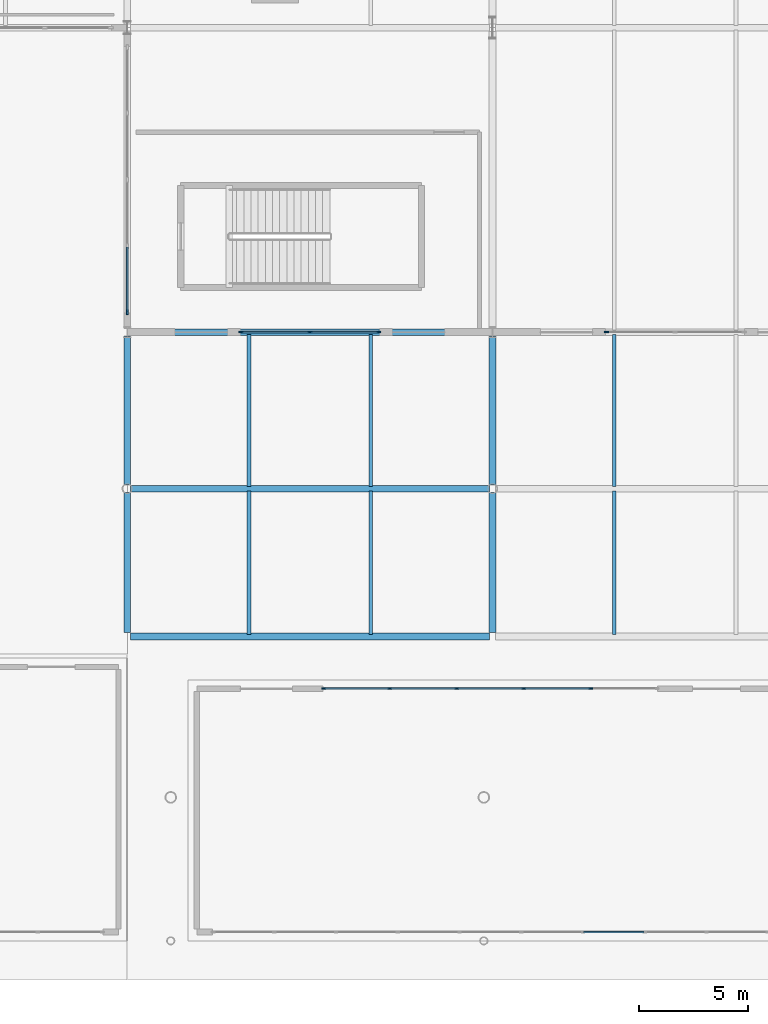
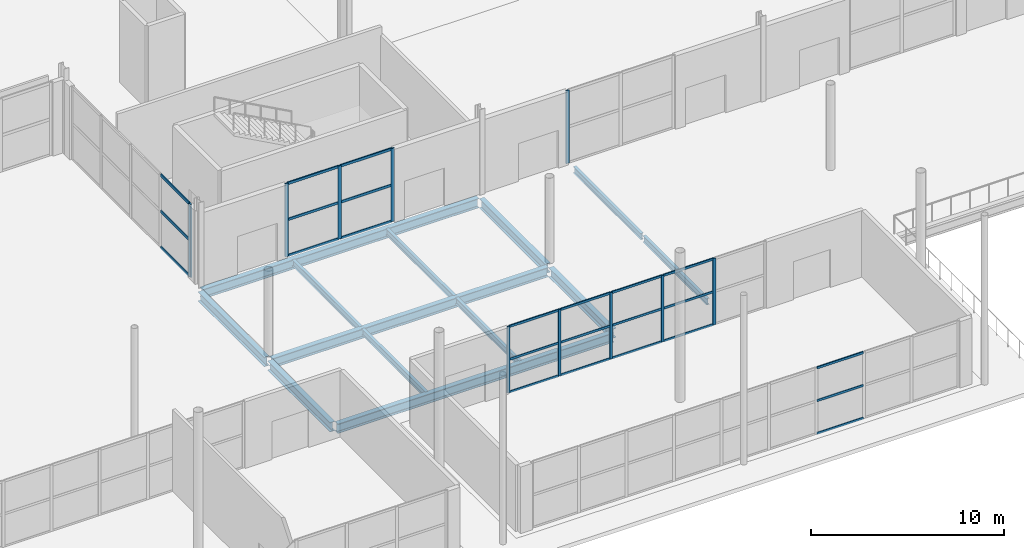
# One storey, part 21 of 87: 34 members, 13 beams, 5 elements without a shape of their own.
"""IFC4 building model written with IfcOpenShell, lengths in metres."""

import ifcopenshell
import ifcopenshell.guid

model = None  # the IFC model being written
_history = None  # IfcOwnerHistory: only IFC2X3 demands one
_inside = {}  # id of a spatial element -> (the spatial element, [elements in it])
_under = {}  # id of a project, library or spatial element -> (it, [spatial elements below it])
_declared = {}  # id of a project -> (the project, [libraries it declares])
_typed = {}  # id of a type object -> (the type object, [elements of that type])
_made_of = {}  # id of a material, layer set ... -> (it, [elements and type objects made of it])


def new_model(schema):
    """Start an empty IFC model of exactly this schema.

    Asked for "IFC4X3", IfcOpenShell would pick the latest addendum, in which some entities
    have other attributes; the version numbers below select the first issue.
    IFC2X3 requires an IfcOwnerHistory on every rooted entity: one is made here for all.
    """
    global model, _history
    if schema == "IFC4X3":
        model = ifcopenshell.file(schema_version=(4, 3, 0, 0))
    else:
        model = ifcopenshell.file(schema=schema)
    _inside.clear()
    _under.clear()
    _declared.clear()
    _typed.clear()
    _made_of.clear()
    _history = None
    if model.schema == "IFC2X3":
        org = make("IfcOrganization", Name="unknown")
        user = make(
            "IfcPersonAndOrganization",
            ThePerson=make("IfcPerson", FamilyName="unknown"),
            TheOrganization=org,
        )
        app = make(
            "IfcApplication",
            ApplicationDeveloper=org,
            Version="unknown",
            ApplicationFullName="unknown",
            ApplicationIdentifier="unknown",
        )
        _history = make(
            "IfcOwnerHistory",
            OwningUser=user,
            OwningApplication=app,
            ChangeAction="ADDED",
            CreationDate=0,
        )
    return model


def make(cls, **values):
    """One entity of the class cls with the attributes given. An attribute that is None is left unset."""
    return model.create_entity(
        cls, **{name: value for name, value in values.items() if value is not None}
    )


def rooted(cls, **values):
    """An entity with a GlobalId (a new one), such as an element, a storey or a relation."""
    return make(cls, GlobalId=ifcopenshell.guid.new(), OwnerHistory=_history, **values)


def si_unit(unit_type, name, prefix=None):
    """IfcSIUnit, for example si_unit("LENGTHUNIT", "METRE", prefix="MILLI")."""
    return make("IfcSIUnit", UnitType=unit_type, Prefix=prefix, Name=name)


def assignment(units):
    """IfcUnitAssignment: the units of a project."""
    return None if units is None else make("IfcUnitAssignment", Units=units)


def point(xyz):
    """IfcCartesianPoint."""
    return None if xyz is None else make("IfcCartesianPoint", Coordinates=xyz)


def direction(xyz):
    """IfcDirection."""
    return None if xyz is None else make("IfcDirection", DirectionRatios=xyz)


def frame(location, z_axis=None, x_axis=None):
    """IfcAxis2Placement3D, a coordinate frame: its origin and axes. An axis left out is left unset."""
    return make(
        "IfcAxis2Placement3D",
        Location=point(location),
        Axis=direction(z_axis),
        RefDirection=direction(x_axis),
    )


def frame_2d(location, x_axis=None):
    """IfcAxis2Placement2D, a coordinate frame in the plane: its origin and x axis."""
    return make(
        "IfcAxis2Placement2D", Location=point(location), RefDirection=direction(x_axis)
    )


def origin():
    """The frame at (0, 0, 0) with its axes left unset."""
    return frame((0.0, 0.0, 0.0))


def origin_2d():
    """The frame at (0, 0) in the plane with its x axis left unset."""
    return frame_2d((0.0, 0.0))


def place(relative_to, where):
    """IfcLocalPlacement: puts the frame where relative to a parent placement (None: the world)."""
    return make(
        "IfcLocalPlacement", PlacementRelTo=relative_to, RelativePlacement=where
    )


def context(
    kind, dimensions, precision=None, world=None, true_north=None, identifier=None
):
    """IfcGeometricRepresentationContext, for example the 3D "Model" context."""
    return make(
        "IfcGeometricRepresentationContext",
        ContextIdentifier=identifier,
        ContextType=kind,
        CoordinateSpaceDimension=dimensions,
        Precision=precision,
        WorldCoordinateSystem=world,
        TrueNorth=true_north,
    )


def subcontext(parent, identifier, kind, view, scale=None):
    """IfcGeometricRepresentationSubContext, for example "Body" below "Model"."""
    return make(
        "IfcGeometricRepresentationSubContext",
        ContextIdentifier=identifier,
        ContextType=kind,
        ParentContext=parent,
        TargetScale=scale,
        TargetView=view,
    )


def project(units=None, contexts=None):
    """IfcProject with its units and contexts."""
    return rooted(
        "IfcProject",
        Name="project",
        RepresentationContexts=contexts,
        UnitsInContext=assignment(units),
    )


def spatial(cls, under=None, at=None, **own):
    """A site, building, storey or space (cls), placed at a placement, below another one or the project."""
    s = rooted(cls, ObjectPlacement=at, **own)
    if under is not None:
        _under.setdefault(under.id(), (under, []))[1].append(s)
    return s


def profile(cls, at=None, kind="AREA", **sizes):
    """A parametric profile (cls). Its sizes go by their IFC names, for example OverallWidth=200.0."""
    return make(cls, ProfileType=kind, Position=at, **sizes)


def rectangle(**sizes):
    """IfcRectangleProfileDef."""
    return profile("IfcRectangleProfileDef", **sizes)


def i_section(**sizes):
    """IfcIShapeProfileDef."""
    return profile("IfcIShapeProfileDef", **sizes)


def extrude(swept, where, along, depth):
    """IfcExtrudedAreaSolid: the profile swept, set in the frame where, extruded along a direction by depth."""
    return make(
        "IfcExtrudedAreaSolid",
        SweptArea=swept,
        Position=where,
        ExtrudedDirection=direction(along),
        Depth=depth,
    )


def shape(context_of_items, identifier, shape_type, items):
    """IfcShapeRepresentation: the items that make up one representation, for example the "Body"."""
    return make(
        "IfcShapeRepresentation",
        ContextOfItems=context_of_items,
        RepresentationIdentifier=identifier,
        RepresentationType=shape_type,
        Items=items,
    )


def material(Name=None, Category=None):
    """IfcMaterial."""
    return make("IfcMaterial", Name=Name, Category=Category)


def material_profile(
    of_material, cross_section, Name=None, Category=None, Priority=None
):
    """IfcMaterialProfile: a cross section and its material."""
    return make(
        "IfcMaterialProfile",
        Name=Name,
        Material=of_material,
        Profile=cross_section,
        Priority=Priority,
        Category=Category,
    )


def profile_set(profiles, Name=None, composite=None):
    """IfcMaterialProfileSet."""
    return make(
        "IfcMaterialProfileSet",
        Name=Name,
        MaterialProfiles=profiles,
        CompositeProfile=composite,
    )


def made_of(thing, what):
    """Note that an element or type object is made of a material, layer set ...; save() writes the relation."""
    if what is not None:
        _made_of.setdefault(what.id(), (what, []))[1].append(thing)
    return thing


def type_object(cls, material=None, **own):
    """A type object (cls), such as IfcWallType, which elements share."""
    return made_of(rooted(cls, **own), material)


def element(
    cls,
    number,
    at=None,
    inside=None,
    cuts=None,
    type_object=None,
    material=None,
    context=None,
    identifier="Body",
    shape_type=None,
    held_by="IfcProductDefinitionShape",
    body=None,
    shapes=None,
    **own,
):
    """One element of the class cls, such as IfcWall. Its Tag is "e" and its number.

    at: its placement. inside: the storey or other place that contains it. cuts: it is an
    opening in that element (IfcRelVoidsElement). A single representation is given by context,
    identifier, shape_type and body (its items); several are given by shapes. held_by: the class
    of the entity that holds the representations. save() writes the other relations.
    """
    e = rooted(cls, Tag="e%d" % number, ObjectPlacement=at, **own)
    if body is not None:
        shapes = [shape(context, identifier, shape_type, body)]
    if shapes is not None:
        e.Representation = make(held_by, Representations=shapes)
    if inside is not None:
        _inside.setdefault(inside.id(), (inside, []))[1].append(e)
    if cuts is not None:
        rooted(
            "IfcRelVoidsElement", RelatingBuildingElement=cuts, RelatedOpeningElement=e
        )
    if type_object is not None:
        _typed.setdefault(type_object.id(), (type_object, []))[1].append(e)
    return made_of(e, material)


def aggregate(whole, parts):
    """IfcRelAggregates: a whole, such as a stair, and the parts it consists of."""
    return rooted("IfcRelAggregates", RelatingObject=whole, RelatedObjects=parts)


def save(model, path):
    """Write the relations noted so far, then the file.

    IfcRelAggregates (storeys below a building ...), IfcRelContainedInSpatialStructure (elements
    in a storey), IfcRelDefinesByType, IfcRelAssociatesMaterial and IfcRelDeclares: one each for
    every whole, place, type object, material and project.
    """
    for whole, parts in _under.values():
        aggregate(whole, parts)
    for where, things in _inside.values():
        rooted(
            "IfcRelContainedInSpatialStructure",
            RelatedElements=things,
            RelatingStructure=where,
        )
    for kind, things in _typed.values():
        rooted("IfcRelDefinesByType", RelatedObjects=things, RelatingType=kind)
    for what, things in _made_of.values():
        rooted("IfcRelAssociatesMaterial", RelatedObjects=things, RelatingMaterial=what)
    for by, libraries in _declared.values():
        rooted("IfcRelDeclares", RelatingContext=by, RelatedDefinitions=libraries)
    model.write(path)


model = new_model("IFC4")

# Units and contexts
model_context = context("Model", 3, precision=1e-05, world=origin(), true_north=direction((0.0, 1.0)))
body_context = subcontext(model_context, "Body", "Model", "MODEL_VIEW")
ifc_project = project(units=[si_unit("LENGTHUNIT", "METRE"), si_unit("AREAUNIT", "SQUARE_METRE"), si_unit("VOLUMEUNIT", "CUBIC_METRE"), si_unit("PLANEANGLEUNIT", "RADIAN"), si_unit("MASSUNIT", "GRAM", prefix="KILO")], contexts=[model_context])

# Site, building, storey
site_placement = place(None, origin())
site = spatial("IfcSite", under=ifc_project, at=site_placement, CompositionType="ELEMENT")
building_placement = place(site_placement, origin())
building = spatial("IfcBuilding", under=site, at=building_placement, Name="Kimbaza Rail Terminus", CompositionType="ELEMENT")
storey_placement = place(building_placement, origin())
storey = spatial("IfcBuildingStorey", under=building, at=storey_placement, Name="L00", CompositionType="ELEMENT", Elevation=0.0)

# Curtain wall, member
ifc_material_1 = material(Name="Anodised aluminium framing and solar low-E glazing", Category="aluminium")
curtain_wall_type_1 = type_object("IfcCurtainWallType", Name="ARC-CW-TH1", PredefinedType="USERDEFINED", material=ifc_material_1)
curtain_wall_1_placement = place(storey_placement, origin())
curtain_wall_1 = element("IfcCurtainWall", 1, at=curtain_wall_1_placement, inside=storey, type_object=curtain_wall_type_1, Name="Concourse W Return Curtain Wall L00", ObjectType="UNITISED CURTAIN WALL", PredefinedType="USERDEFINED")
ifc_material_2 = material(Name="Anodised architectural aluminium", Category="aluminium")
ifc_material_profile_1 = material_profile(ifc_material_2, rectangle(XDim=0.074951171875, YDim=0.219970703125, at=origin_2d()), Name="MULLION 75x220")
ifc_profile_set_1 = profile_set([ifc_material_profile_1], Name="Anodised architectural aluminium")
member_type_1 = type_object("IfcMemberType", Name="ARC-CWM-01", PredefinedType="MULLION", material=ifc_profile_set_1)
member_1_placement = place(storey_placement, frame((55.199951171875, 41.91748046875, 0.0), z_axis=(0.0, 0.0, 1.0), x_axis=(-1.0, 0.0, 0.0)))
member_1 = element("IfcMember", 2, at=member_1_placement, type_object=member_type_1, Name="CW-01 mullion 1", PredefinedType="MULLION", context=body_context, shape_type="SweptSolid", body=[
    extrude(rectangle(XDim=0.074951171875, YDim=0.219970703125, at=origin_2d()), origin(), (0.0, 0.0, 1.0), 4.625),
])

# Curtain wall, members
ifc_material_3 = material(Name="Anodised aluminium framing and solar low-E glazing", Category="aluminium")
curtain_wall_type_2 = type_object("IfcCurtainWallType", Name="ARC-CW-CN1", PredefinedType="USERDEFINED", material=ifc_material_3)
curtain_wall_2_placement = place(storey_placement, origin())
curtain_wall_2 = element("IfcCurtainWall", 3, at=curtain_wall_2_placement, inside=storey, type_object=curtain_wall_type_2, Name="South Concourse Glazing L00 Bay 1", ObjectType="UNITISED CURTAIN WALL", PredefinedType="USERDEFINED")
ifc_material_4 = material(Name="Anodised architectural aluminium", Category="aluminium")
ifc_material_profile_2 = material_profile(ifc_material_4, rectangle(XDim=0.070068359375, YDim=0.199951171875, at=origin_2d()), Name="MULLION 70x200")
ifc_profile_set_2 = profile_set([ifc_material_profile_2], Name="Anodised architectural aluminium")
member_type_2 = type_object("IfcMemberType", Name="ARC-CWM-02", PredefinedType="MULLION", material=ifc_profile_set_2)
member_2_placement = place(storey_placement, frame((60.43505859375, 41.0, 0.0), z_axis=(0.0, 0.0, 1.0), x_axis=(0.0, 1.0, 0.0)))
member_2 = element("IfcMember", 4, at=member_2_placement, type_object=member_type_2, Name="CW-02 mullion 1", PredefinedType="MULLION", context=body_context, shape_type="SweptSolid", body=[
    extrude(rectangle(XDim=0.070068359375, YDim=0.199951171875, at=origin_2d()), origin(), (0.0, 0.0, 1.0), 4.625),
])
member_3_placement = place(storey_placement, frame((63.60009765625, 41.0, 0.0), z_axis=(0.0, 0.0, 1.0), x_axis=(0.0, 1.0, 0.0)))
member_3 = element("IfcMember", 5, at=member_3_placement, type_object=member_type_2, Name="CW-02 mullion 2", PredefinedType="MULLION", context=body_context, shape_type="SweptSolid", body=[
    extrude(rectangle(XDim=0.070068359375, YDim=0.199951171875, at=origin_2d()), origin(), (0.0, 0.0, 1.0), 4.625),
])
member_4_placement = place(storey_placement, frame((66.764892578125, 41.0, 0.0), z_axis=(0.0, 0.0, 1.0), x_axis=(0.0, 1.0, 0.0)))
member_4 = element("IfcMember", 6, at=member_4_placement, type_object=member_type_2, Name="CW-02 mullion 3", PredefinedType="MULLION", context=body_context, shape_type="SweptSolid", body=[
    extrude(rectangle(XDim=0.070068359375, YDim=0.199951171875, at=origin_2d()), origin(), (0.0, 0.0, 1.0), 4.625),
])

# Curtain wall, member
curtain_wall_3_placement = place(storey_placement, origin())
curtain_wall_3 = element("IfcCurtainWall", 7, at=curtain_wall_3_placement, inside=storey, type_object=curtain_wall_type_2, Name="South Concourse Glazing L00 Bay 2", ObjectType="UNITISED CURTAIN WALL", PredefinedType="USERDEFINED")
member_5_placement = place(storey_placement, frame((77.235107421875, 41.0, 0.0), z_axis=(0.0, 0.0, 1.0), x_axis=(0.0, 1.0, 0.0)))
member_5 = element("IfcMember", 8, at=member_5_placement, type_object=member_type_2, Name="CW-02 mullion 1", PredefinedType="MULLION", context=body_context, shape_type="SweptSolid", body=[
    extrude(rectangle(XDim=0.070068359375, YDim=0.199951171875, at=origin_2d()), origin(), (0.0, 0.0, 1.0), 4.625),
])
aggregate(curtain_wall_3, [member_5])

# Curtain wall, members
ifc_material_5 = material(Name="Anodised aluminium framing and solar low-E glazing", Category="aluminium")
curtain_wall_type_3 = type_object("IfcCurtainWallType", Name="ARC-CW-PV1", PredefinedType="USERDEFINED", material=ifc_material_5)
curtain_wall_4_placement = place(storey_placement, origin())
curtain_wall_4 = element("IfcCurtainWall", 9, at=curtain_wall_4_placement, inside=storey, type_object=curtain_wall_type_3, Name="Taxi Waiting Pavilion North Curtain Wall", ObjectType="STICK CURTAIN WALL", PredefinedType="USERDEFINED")
ifc_material_6 = material(Name="Anodised architectural aluminium", Category="aluminium")
ifc_material_profile_3 = material_profile(ifc_material_6, rectangle(XDim=0.06494140625, YDim=0.175048828125, at=origin_2d()), Name="MULLION 65x175")
ifc_profile_set_3 = profile_set([ifc_material_profile_3], Name="Anodised architectural aluminium")
member_type_3 = type_object("IfcMemberType", Name="ARC-CWM-04", PredefinedType="MULLION", material=ifc_profile_set_3)
member_6_placement = place(storey_placement, frame((64.232421875, 24.60009765625, 0.0), z_axis=(0.0, 0.0, 1.0), x_axis=(0.0, 1.0, 0.0)))
member_6 = element("IfcMember", 10, at=member_6_placement, type_object=member_type_3, Name="CW-04 mullion 1", PredefinedType="MULLION", context=body_context, shape_type="SweptSolid", body=[
    extrude(rectangle(XDim=0.06494140625, YDim=0.175048828125, at=origin_2d()), origin(), (0.0, 0.0, 1.0), 4.199951171875),
])
member_7_placement = place(storey_placement, frame((67.280029296875, 24.60009765625, 0.0), z_axis=(0.0, 0.0, 1.0), x_axis=(0.0, 1.0, 0.0)))
member_7 = element("IfcMember", 11, at=member_7_placement, type_object=member_type_3, Name="CW-04 mullion 2", PredefinedType="MULLION", context=body_context, shape_type="SweptSolid", body=[
    extrude(rectangle(XDim=0.06494140625, YDim=0.175048828125, at=origin_2d()), origin(), (0.0, 0.0, 1.0), 4.199951171875),
])
member_8_placement = place(storey_placement, frame((70.360107421875, 24.60009765625, 0.0), z_axis=(0.0, 0.0, 1.0), x_axis=(0.0, 1.0, 0.0)))
member_8 = element("IfcMember", 12, at=member_8_placement, type_object=member_type_3, Name="CW-04 mullion 3", PredefinedType="MULLION", context=body_context, shape_type="SweptSolid", body=[
    extrude(rectangle(XDim=0.06494140625, YDim=0.175048828125, at=origin_2d()), origin(), (0.0, 0.0, 1.0), 4.199951171875),
])
member_9_placement = place(storey_placement, frame((73.43994140625, 24.60009765625, 0.0), z_axis=(0.0, 0.0, 1.0), x_axis=(0.0, 1.0, 0.0)))
member_9 = element("IfcMember", 13, at=member_9_placement, type_object=member_type_3, Name="CW-04 mullion 4", PredefinedType="MULLION", context=body_context, shape_type="SweptSolid", body=[
    extrude(rectangle(XDim=0.06494140625, YDim=0.175048828125, at=origin_2d()), origin(), (0.0, 0.0, 1.0), 4.199951171875),
])
member_10_placement = place(storey_placement, frame((76.52001953125, 24.60009765625, 0.0), z_axis=(0.0, 0.0, 1.0), x_axis=(0.0, 1.0, 0.0)))
member_10 = element("IfcMember", 14, at=member_10_placement, type_object=member_type_3, Name="CW-04 mullion 5", PredefinedType="MULLION", context=body_context, shape_type="SweptSolid", body=[
    extrude(rectangle(XDim=0.06494140625, YDim=0.175048828125, at=origin_2d()), origin(), (0.0, 0.0, 1.0), 4.199951171875),
])

# Member
ifc_material_7 = material(Name="Anodised architectural aluminium", Category="aluminium")
ifc_material_profile_4 = material_profile(ifc_material_7, rectangle(XDim=0.074951171875, YDim=0.179931640625, at=origin_2d()), Name="TRANSOM 75x180")
ifc_profile_set_4 = profile_set([ifc_material_profile_4], Name="Anodised architectural aluminium")
member_type_4 = type_object("IfcMemberType", Name="ARC-CWT-01", PredefinedType="USERDEFINED", material=ifc_profile_set_4)
member_11_placement = place(storey_placement, frame((55.199951171875, 41.955078125, 0.03759765625), z_axis=(0.0, 1.0, 0.0), x_axis=(-1.0, 0.0, 0.0)))
member_11 = element("IfcMember", 15, at=member_11_placement, type_object=member_type_4, Name="CW-01 transom 1.1", ObjectType="TRANSOM", PredefinedType="USERDEFINED", context=body_context, shape_type="SweptSolid", body=[
    extrude(rectangle(XDim=0.074951171875, YDim=0.179931640625, at=origin_2d()), origin(), (0.0, 0.0, 1.0), 2.952392578125),
])

member_12_placement = place(storey_placement, frame((55.199951171875, 41.955078125, 2.3125), z_axis=(0.0, 1.0, 0.0), x_axis=(-1.0, 0.0, 0.0)))
member_12 = element("IfcMember", 16, at=member_12_placement, type_object=member_type_4, Name="CW-01 transom 1.2", ObjectType="TRANSOM", PredefinedType="USERDEFINED", context=body_context, shape_type="SweptSolid", body=[
    extrude(rectangle(XDim=0.074951171875, YDim=0.179931640625, at=origin_2d()), origin(), (0.0, 0.0, 1.0), 2.952392578125),
])

member_13_placement = place(storey_placement, frame((55.199951171875, 41.955078125, 4.58740234375), z_axis=(0.0, 1.0, 0.0), x_axis=(-1.0, 0.0, 0.0)))
member_13 = element("IfcMember", 17, at=member_13_placement, type_object=member_type_4, Name="CW-01 transom 1.3", ObjectType="TRANSOM", PredefinedType="USERDEFINED", context=body_context, shape_type="SweptSolid", body=[
    extrude(rectangle(XDim=0.074951171875, YDim=0.179931640625, at=origin_2d()), origin(), (0.0, 0.0, 1.0), 2.952392578125),
])

aggregate(curtain_wall_1, [member_1, member_11, member_12, member_13])

ifc_material_8 = material(Name="Anodised architectural aluminium", Category="aluminium")
ifc_material_profile_5 = material_profile(ifc_material_8, rectangle(XDim=0.070068359375, YDim=0.159912109375, at=origin_2d()), Name="TRANSOM 70x160")
ifc_profile_set_5 = profile_set([ifc_material_profile_5], Name="Anodised architectural aluminium")
member_type_5 = type_object("IfcMemberType", Name="ARC-CWT-02", PredefinedType="USERDEFINED", material=ifc_profile_set_5)
member_14_placement = place(storey_placement, frame((60.469970703125, 41.0, 0.034912109375), z_axis=(1.0, 0.0, 0.0), x_axis=(0.0, 1.0, 0.0)))
member_14 = element("IfcMember", 18, at=member_14_placement, type_object=member_type_5, Name="CW-02 transom 1.1", ObjectType="TRANSOM", PredefinedType="USERDEFINED", context=body_context, shape_type="SweptSolid", body=[
    extrude(rectangle(XDim=0.070068359375, YDim=0.159912109375, at=origin_2d()), origin(), (0.0, 0.0, 1.0), 3.094970703125),
])

member_15_placement = place(storey_placement, frame((60.469970703125, 41.0, 2.3125), z_axis=(1.0, 0.0, 0.0), x_axis=(0.0, 1.0, 0.0)))
member_15 = element("IfcMember", 19, at=member_15_placement, type_object=member_type_5, Name="CW-02 transom 1.2", ObjectType="TRANSOM", PredefinedType="USERDEFINED", context=body_context, shape_type="SweptSolid", body=[
    extrude(rectangle(XDim=0.070068359375, YDim=0.159912109375, at=origin_2d()), origin(), (0.0, 0.0, 1.0), 3.094970703125),
])

member_16_placement = place(storey_placement, frame((60.469970703125, 41.0, 4.590087890625), z_axis=(1.0, 0.0, 0.0), x_axis=(0.0, 1.0, 0.0)))
member_16 = element("IfcMember", 20, at=member_16_placement, type_object=member_type_5, Name="CW-02 transom 1.3", ObjectType="TRANSOM", PredefinedType="USERDEFINED", context=body_context, shape_type="SweptSolid", body=[
    extrude(rectangle(XDim=0.070068359375, YDim=0.159912109375, at=origin_2d()), origin(), (0.0, 0.0, 1.0), 3.094970703125),
])

member_17_placement = place(storey_placement, frame((63.635009765625, 41.0, 0.034912109375), z_axis=(1.0, 0.0, 0.0), x_axis=(0.0, 1.0, 0.0)))
member_17 = element("IfcMember", 21, at=member_17_placement, type_object=member_type_5, Name="CW-02 transom 2.1", ObjectType="TRANSOM", PredefinedType="USERDEFINED", context=body_context, shape_type="SweptSolid", body=[
    extrude(rectangle(XDim=0.070068359375, YDim=0.159912109375, at=origin_2d()), origin(), (0.0, 0.0, 1.0), 3.094970703125),
])

member_18_placement = place(storey_placement, frame((63.635009765625, 41.0, 2.3125), z_axis=(1.0, 0.0, 0.0), x_axis=(0.0, 1.0, 0.0)))
member_18 = element("IfcMember", 22, at=member_18_placement, type_object=member_type_5, Name="CW-02 transom 2.2", ObjectType="TRANSOM", PredefinedType="USERDEFINED", context=body_context, shape_type="SweptSolid", body=[
    extrude(rectangle(XDim=0.070068359375, YDim=0.159912109375, at=origin_2d()), origin(), (0.0, 0.0, 1.0), 3.094970703125),
])

member_19_placement = place(storey_placement, frame((63.635009765625, 41.0, 4.590087890625), z_axis=(1.0, 0.0, 0.0), x_axis=(0.0, 1.0, 0.0)))
member_19 = element("IfcMember", 23, at=member_19_placement, type_object=member_type_5, Name="CW-02 transom 2.3", ObjectType="TRANSOM", PredefinedType="USERDEFINED", context=body_context, shape_type="SweptSolid", body=[
    extrude(rectangle(XDim=0.070068359375, YDim=0.159912109375, at=origin_2d()), origin(), (0.0, 0.0, 1.0), 3.094970703125),
])

aggregate(curtain_wall_2, [member_2, member_3, member_4, member_14, member_15, member_16, member_17, member_18, member_19])

ifc_material_9 = material(Name="Anodised architectural aluminium", Category="aluminium")
ifc_material_profile_6 = material_profile(ifc_material_9, rectangle(XDim=0.06494140625, YDim=0.139892578125, at=origin_2d()), Name="TRANSOM 65x140")
ifc_profile_set_6 = profile_set([ifc_material_profile_6], Name="Anodised architectural aluminium")
member_type_6 = type_object("IfcMemberType", Name="ARC-CWT-04", PredefinedType="USERDEFINED", material=ifc_profile_set_6)
member_20_placement = place(storey_placement, frame((64.264892578125, 24.60009765625, 0.032470703125), z_axis=(1.0, 0.0, 0.0), x_axis=(0.0, 1.0, 0.0)))
member_20 = element("IfcMember", 24, at=member_20_placement, type_object=member_type_6, Name="CW-04 transom 1.1", ObjectType="TRANSOM", PredefinedType="USERDEFINED", context=body_context, shape_type="SweptSolid", body=[
    extrude(rectangle(XDim=0.06494140625, YDim=0.139892578125, at=origin_2d()), origin(), (0.0, 0.0, 1.0), 2.982666015625),
])

member_21_placement = place(storey_placement, frame((64.264892578125, 24.60009765625, 2.10009765625), z_axis=(1.0, 0.0, 0.0), x_axis=(0.0, 1.0, 0.0)))
member_21 = element("IfcMember", 25, at=member_21_placement, type_object=member_type_6, Name="CW-04 transom 1.2", ObjectType="TRANSOM", PredefinedType="USERDEFINED", context=body_context, shape_type="SweptSolid", body=[
    extrude(rectangle(XDim=0.06494140625, YDim=0.139892578125, at=origin_2d()), origin(), (0.0, 0.0, 1.0), 2.982666015625),
])

member_22_placement = place(storey_placement, frame((64.264892578125, 24.60009765625, 4.16748046875), z_axis=(1.0, 0.0, 0.0), x_axis=(0.0, 1.0, 0.0)))
member_22 = element("IfcMember", 26, at=member_22_placement, type_object=member_type_6, Name="CW-04 transom 1.3", ObjectType="TRANSOM", PredefinedType="USERDEFINED", context=body_context, shape_type="SweptSolid", body=[
    extrude(rectangle(XDim=0.06494140625, YDim=0.139892578125, at=origin_2d()), origin(), (0.0, 0.0, 1.0), 2.982666015625),
])

member_23_placement = place(storey_placement, frame((67.3125, 24.60009765625, 0.032470703125), z_axis=(1.0, 0.0, 0.0), x_axis=(0.0, 1.0, 0.0)))
member_23 = element("IfcMember", 27, at=member_23_placement, type_object=member_type_6, Name="CW-04 transom 2.1", ObjectType="TRANSOM", PredefinedType="USERDEFINED", context=body_context, shape_type="SweptSolid", body=[
    extrude(rectangle(XDim=0.06494140625, YDim=0.139892578125, at=origin_2d()), origin(), (0.0, 0.0, 1.0), 3.014892578125),
])

member_24_placement = place(storey_placement, frame((67.3125, 24.60009765625, 2.10009765625), z_axis=(1.0, 0.0, 0.0), x_axis=(0.0, 1.0, 0.0)))
member_24 = element("IfcMember", 28, at=member_24_placement, type_object=member_type_6, Name="CW-04 transom 2.2", ObjectType="TRANSOM", PredefinedType="USERDEFINED", context=body_context, shape_type="SweptSolid", body=[
    extrude(rectangle(XDim=0.06494140625, YDim=0.139892578125, at=origin_2d()), origin(), (0.0, 0.0, 1.0), 3.014892578125),
])

member_25_placement = place(storey_placement, frame((67.3125, 24.60009765625, 4.16748046875), z_axis=(1.0, 0.0, 0.0), x_axis=(0.0, 1.0, 0.0)))
member_25 = element("IfcMember", 29, at=member_25_placement, type_object=member_type_6, Name="CW-04 transom 2.3", ObjectType="TRANSOM", PredefinedType="USERDEFINED", context=body_context, shape_type="SweptSolid", body=[
    extrude(rectangle(XDim=0.06494140625, YDim=0.139892578125, at=origin_2d()), origin(), (0.0, 0.0, 1.0), 3.014892578125),
])

member_26_placement = place(storey_placement, frame((70.392578125, 24.60009765625, 0.032470703125), z_axis=(1.0, 0.0, 0.0), x_axis=(0.0, 1.0, 0.0)))
member_26 = element("IfcMember", 30, at=member_26_placement, type_object=member_type_6, Name="CW-04 transom 3.1", ObjectType="TRANSOM", PredefinedType="USERDEFINED", context=body_context, shape_type="SweptSolid", body=[
    extrude(rectangle(XDim=0.06494140625, YDim=0.139892578125, at=origin_2d()), origin(), (0.0, 0.0, 1.0), 3.014892578125),
])

member_27_placement = place(storey_placement, frame((70.392578125, 24.60009765625, 2.10009765625), z_axis=(1.0, 0.0, 0.0), x_axis=(0.0, 1.0, 0.0)))
member_27 = element("IfcMember", 31, at=member_27_placement, type_object=member_type_6, Name="CW-04 transom 3.2", ObjectType="TRANSOM", PredefinedType="USERDEFINED", context=body_context, shape_type="SweptSolid", body=[
    extrude(rectangle(XDim=0.06494140625, YDim=0.139892578125, at=origin_2d()), origin(), (0.0, 0.0, 1.0), 3.014892578125),
])

member_28_placement = place(storey_placement, frame((70.392578125, 24.60009765625, 4.16748046875), z_axis=(1.0, 0.0, 0.0), x_axis=(0.0, 1.0, 0.0)))
member_28 = element("IfcMember", 32, at=member_28_placement, type_object=member_type_6, Name="CW-04 transom 3.3", ObjectType="TRANSOM", PredefinedType="USERDEFINED", context=body_context, shape_type="SweptSolid", body=[
    extrude(rectangle(XDim=0.06494140625, YDim=0.139892578125, at=origin_2d()), origin(), (0.0, 0.0, 1.0), 3.014892578125),
])

member_29_placement = place(storey_placement, frame((73.472412109375, 24.60009765625, 0.032470703125), z_axis=(1.0, 0.0, 0.0), x_axis=(0.0, 1.0, 0.0)))
member_29 = element("IfcMember", 33, at=member_29_placement, type_object=member_type_6, Name="CW-04 transom 4.1", ObjectType="TRANSOM", PredefinedType="USERDEFINED", context=body_context, shape_type="SweptSolid", body=[
    extrude(rectangle(XDim=0.06494140625, YDim=0.139892578125, at=origin_2d()), origin(), (0.0, 0.0, 1.0), 3.01513671875),
])

member_30_placement = place(storey_placement, frame((73.472412109375, 24.60009765625, 2.10009765625), z_axis=(1.0, 0.0, 0.0), x_axis=(0.0, 1.0, 0.0)))
member_30 = element("IfcMember", 34, at=member_30_placement, type_object=member_type_6, Name="CW-04 transom 4.2", ObjectType="TRANSOM", PredefinedType="USERDEFINED", context=body_context, shape_type="SweptSolid", body=[
    extrude(rectangle(XDim=0.06494140625, YDim=0.139892578125, at=origin_2d()), origin(), (0.0, 0.0, 1.0), 3.01513671875),
])

member_31_placement = place(storey_placement, frame((73.472412109375, 24.60009765625, 4.16748046875), z_axis=(1.0, 0.0, 0.0), x_axis=(0.0, 1.0, 0.0)))
member_31 = element("IfcMember", 35, at=member_31_placement, type_object=member_type_6, Name="CW-04 transom 4.3", ObjectType="TRANSOM", PredefinedType="USERDEFINED", context=body_context, shape_type="SweptSolid", body=[
    extrude(rectangle(XDim=0.06494140625, YDim=0.139892578125, at=origin_2d()), origin(), (0.0, 0.0, 1.0), 3.01513671875),
])

aggregate(curtain_wall_4, [member_6, member_7, member_8, member_9, member_10, member_20, member_21, member_22, member_23, member_24, member_25, member_26, member_27, member_28, member_29, member_30, member_31])

# Curtain wall, members
curtain_wall_5_placement = place(storey_placement, origin())
curtain_wall_5 = element("IfcCurtainWall", 36, at=curtain_wall_5_placement, inside=storey, type_object=curtain_wall_type_3, Name="Taxi Waiting Pavilion South Curtain Wall", ObjectType="STICK CURTAIN WALL", PredefinedType="USERDEFINED")
member_32_placement = place(storey_placement, frame((76.1923828125, 13.39990234375, 0.032470703125), z_axis=(1.0, 0.0, 0.0), x_axis=(0.0, 1.0, 0.0)))
member_32 = element("IfcMember", 37, at=member_32_placement, type_object=member_type_6, Name="CW-04 transom 7.1", ObjectType="TRANSOM", PredefinedType="USERDEFINED", context=body_context, shape_type="SweptSolid", body=[
    extrude(rectangle(XDim=0.06494140625, YDim=0.139892578125, at=origin_2d()), origin(), (0.0, 0.0, 1.0), 2.775146484375),
])
member_33_placement = place(storey_placement, frame((76.1923828125, 13.39990234375, 2.10009765625), z_axis=(1.0, 0.0, 0.0), x_axis=(0.0, 1.0, 0.0)))
member_33 = element("IfcMember", 38, at=member_33_placement, type_object=member_type_6, Name="CW-04 transom 7.2", ObjectType="TRANSOM", PredefinedType="USERDEFINED", context=body_context, shape_type="SweptSolid", body=[
    extrude(rectangle(XDim=0.06494140625, YDim=0.139892578125, at=origin_2d()), origin(), (0.0, 0.0, 1.0), 2.775146484375),
])
member_34_placement = place(storey_placement, frame((76.1923828125, 13.39990234375, 4.16748046875), z_axis=(1.0, 0.0, 0.0), x_axis=(0.0, 1.0, 0.0)))
member_34 = element("IfcMember", 39, at=member_34_placement, type_object=member_type_6, Name="CW-04 transom 7.3", ObjectType="TRANSOM", PredefinedType="USERDEFINED", context=body_context, shape_type="SweptSolid", body=[
    extrude(rectangle(XDim=0.06494140625, YDim=0.139892578125, at=origin_2d()), origin(), (0.0, 0.0, 1.0), 2.775146484375),
])
aggregate(curtain_wall_5, [member_32, member_33, member_34])

# Beams
ifc_material_10 = material(Name="Steel S355", Category="steel")
ifc_material_profile_7 = material_profile(ifc_material_10, i_section(OverallWidth=0.300048828125, OverallDepth=0.60009765625, WebThickness=0.015380859375, FlangeThickness=0.030029296875, FilletRadius=0.027099609375, at=origin_2d()), Name="HEB 600")
ifc_profile_set_7 = profile_set([ifc_material_profile_7], Name="Steel S355")
beam_type_1 = type_object("IfcBeamType", Name="STR-BM-HEB600", PredefinedType="BEAM", material=ifc_profile_set_7)
beam_1_placement = place(storey_placement, frame((55.199951171875, 27.175048828125, -0.550048828125), z_axis=(0.0, 1.0, 0.0), x_axis=(-1.0, 0.0, 0.0)))
element("IfcBeam", 40, at=beam_1_placement, inside=storey, type_object=beam_type_1, Name="Beam BM-V2Y-L00-0-27", PredefinedType="BEAM", context=body_context, shape_type="SweptSolid", body=[
    extrude(i_section(OverallWidth=0.300048828125, OverallDepth=0.60009765625, WebThickness=0.015380859375, FlangeThickness=0.030029296875, FilletRadius=0.027099609375, at=origin_2d()), origin(), (0.0, 0.0, 1.0), 6.449951171875),
])
beam_2_placement = place(storey_placement, frame((55.199951171875, 33.97509765625, -0.550048828125), z_axis=(0.0, 1.0, 0.0), x_axis=(-1.0, 0.0, 0.0)))
element("IfcBeam", 41, at=beam_2_placement, inside=storey, type_object=beam_type_1, Name="Beam BM-V2Y-L00-0-34", PredefinedType="BEAM", context=body_context, shape_type="SweptSolid", body=[
    extrude(i_section(OverallWidth=0.300048828125, OverallDepth=0.60009765625, WebThickness=0.015380859375, FlangeThickness=0.030029296875, FilletRadius=0.027099609375, at=origin_2d()), origin(), (0.0, 0.0, 1.0), 6.849853515625),
])
beam_3_placement = place(storey_placement, frame((72.0, 27.175048828125, -0.550048828125), z_axis=(0.0, 1.0, 0.0), x_axis=(-1.0, 0.0, 0.0)))
element("IfcBeam", 42, at=beam_3_placement, inside=storey, type_object=beam_type_1, Name="Beam BM-V2Y-L00-1-27", PredefinedType="BEAM", context=body_context, shape_type="SweptSolid", body=[
    extrude(i_section(OverallWidth=0.300048828125, OverallDepth=0.60009765625, WebThickness=0.015380859375, FlangeThickness=0.030029296875, FilletRadius=0.027099609375, at=origin_2d()), origin(), (0.0, 0.0, 1.0), 6.449951171875),
])
beam_4_placement = place(storey_placement, frame((72.0, 33.97509765625, -0.550048828125), z_axis=(0.0, 1.0, 0.0), x_axis=(-1.0, 0.0, 0.0)))
element("IfcBeam", 43, at=beam_4_placement, inside=storey, type_object=beam_type_1, Name="Beam BM-V2Y-L00-1-34", PredefinedType="BEAM", context=body_context, shape_type="SweptSolid", body=[
    extrude(i_section(OverallWidth=0.300048828125, OverallDepth=0.60009765625, WebThickness=0.015380859375, FlangeThickness=0.030029296875, FilletRadius=0.027099609375, at=origin_2d()), origin(), (0.0, 0.0, 1.0), 6.849853515625),
])
for number, where, z_axis, x_axis, name in (
    (44, (55.345947265625, 27.0, -0.550048828125), (1.0, 0.0, 0.0), (0.0, 1.0, 0.0), "Beam BM-V2X-L00-0-0"),
    (45, (55.345947265625, 33.800048828125, -0.550048828125), (1.0, 0.0, 0.0), (0.0, 1.0, 0.0), "Beam BM-V2X-L00-1-0"),
    (46, (55.345947265625, 41.0, -0.550048828125), (1.0, 0.0, 0.0), (0.0, 1.0, 0.0), "Beam BM-V2X-L00-2-0"),
):
    element("IfcBeam", number, at=place(storey_placement, frame(where, z_axis=z_axis, x_axis=x_axis)), inside=storey, type_object=beam_type_1, Name=name, PredefinedType="BEAM", context=body_context, shape_type="SweptSolid", body=[
        extrude(i_section(OverallWidth=0.300048828125, OverallDepth=0.60009765625, WebThickness=0.015380859375, FlangeThickness=0.030029296875, FilletRadius=0.027099609375, at=origin_2d()), origin(), (0.0, 0.0, 1.0), 16.508056640625),
    ])
ifc_material_11 = material(Name="Steel S355", Category="steel")
ifc_material_profile_8 = material_profile(ifc_material_11, i_section(OverallWidth=0.179931640625, OverallDepth=0.39990234375, WebThickness=0.008544921875, FlangeThickness=0.013427734375, FilletRadius=0.02099609375, at=origin_2d()), Name="IPE 400")
ifc_profile_set_8 = profile_set([ifc_material_profile_8], Name="Steel S355")
beam_type_2 = type_object("IfcBeamType", Name="STR-BM-IPE400", PredefinedType="JOIST", material=ifc_profile_set_8)
beam_5_placement = place(storey_placement, frame((60.800048828125, 27.10009765625, -0.449951171875), z_axis=(0.0, 1.0, 0.0), x_axis=(-1.0, 0.0, 0.0)))
element("IfcBeam", 47, at=beam_5_placement, inside=storey, type_object=beam_type_2, Name="Beam JST-V2-L00-1-1-27", PredefinedType="JOIST", context=body_context, shape_type="SweptSolid", body=[
    extrude(i_section(OverallWidth=0.179931640625, OverallDepth=0.39990234375, WebThickness=0.008544921875, FlangeThickness=0.013427734375, FilletRadius=0.02099609375, at=origin_2d()), origin(), (0.0, 0.0, 1.0), 6.599853515625),
])
beam_6_placement = place(storey_placement, frame((60.800048828125, 33.89990234375, -0.449951171875), z_axis=(0.0, 1.0, 0.0), x_axis=(-1.0, 0.0, 0.0)))
element("IfcBeam", 48, at=beam_6_placement, inside=storey, type_object=beam_type_2, Name="Beam JST-V2-L00-1-1-34", PredefinedType="JOIST", context=body_context, shape_type="SweptSolid", body=[
    extrude(i_section(OverallWidth=0.179931640625, OverallDepth=0.39990234375, WebThickness=0.008544921875, FlangeThickness=0.013427734375, FilletRadius=0.02099609375, at=origin_2d()), origin(), (0.0, 0.0, 1.0), 7.0),
])
beam_7_placement = place(storey_placement, frame((66.39990234375, 27.10009765625, -0.449951171875), z_axis=(0.0, 1.0, 0.0), x_axis=(-1.0, 0.0, 0.0)))
element("IfcBeam", 49, at=beam_7_placement, inside=storey, type_object=beam_type_2, Name="Beam JST-V2-L00-1-2-27", PredefinedType="JOIST", context=body_context, shape_type="SweptSolid", body=[
    extrude(i_section(OverallWidth=0.179931640625, OverallDepth=0.39990234375, WebThickness=0.008544921875, FlangeThickness=0.013427734375, FilletRadius=0.02099609375, at=origin_2d()), origin(), (0.0, 0.0, 1.0), 6.599853515625),
])
beam_8_placement = place(storey_placement, frame((66.39990234375, 33.89990234375, -0.449951171875), z_axis=(0.0, 1.0, 0.0), x_axis=(-1.0, 0.0, 0.0)))
element("IfcBeam", 50, at=beam_8_placement, inside=storey, type_object=beam_type_2, Name="Beam JST-V2-L00-1-2-34", PredefinedType="JOIST", context=body_context, shape_type="SweptSolid", body=[
    extrude(i_section(OverallWidth=0.179931640625, OverallDepth=0.39990234375, WebThickness=0.008544921875, FlangeThickness=0.013427734375, FilletRadius=0.02099609375, at=origin_2d()), origin(), (0.0, 0.0, 1.0), 7.0),
])
beam_9_placement = place(storey_placement, frame((77.60009765625, 27.10009765625, -0.449951171875), z_axis=(0.0, 1.0, 0.0), x_axis=(-1.0, 0.0, 0.0)))
element("IfcBeam", 51, at=beam_9_placement, inside=storey, type_object=beam_type_2, Name="Beam JST-V2-L00-2-1-27", PredefinedType="JOIST", context=body_context, shape_type="SweptSolid", body=[
    extrude(i_section(OverallWidth=0.179931640625, OverallDepth=0.39990234375, WebThickness=0.008544921875, FlangeThickness=0.013427734375, FilletRadius=0.02099609375, at=origin_2d()), origin(), (0.0, 0.0, 1.0), 6.599853515625),
])
beam_10_placement = place(storey_placement, frame((77.60009765625, 33.89990234375, -0.449951171875), z_axis=(0.0, 1.0, 0.0), x_axis=(-1.0, 0.0, 0.0)))
element("IfcBeam", 52, at=beam_10_placement, inside=storey, type_object=beam_type_2, Name="Beam JST-V2-L00-2-1-34", PredefinedType="JOIST", context=body_context, shape_type="SweptSolid", body=[
    extrude(i_section(OverallWidth=0.179931640625, OverallDepth=0.39990234375, WebThickness=0.008544921875, FlangeThickness=0.013427734375, FilletRadius=0.02099609375, at=origin_2d()), origin(), (0.0, 0.0, 1.0), 7.0),
])

save(model, "model.ifc")
